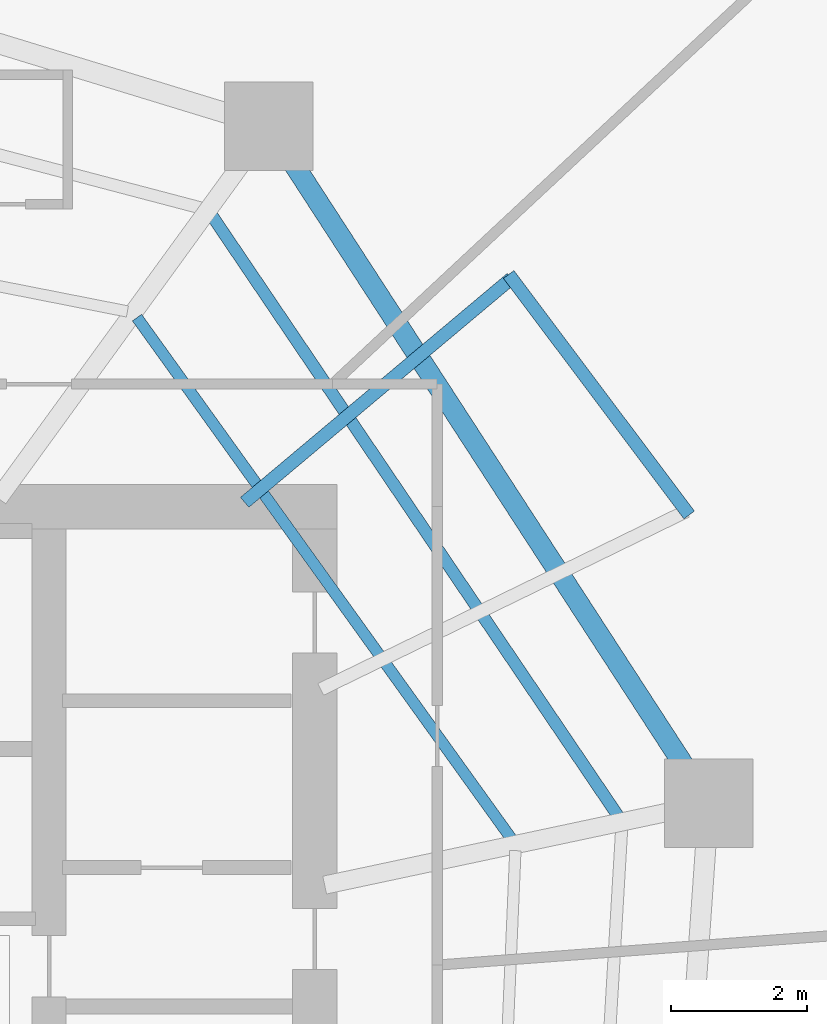
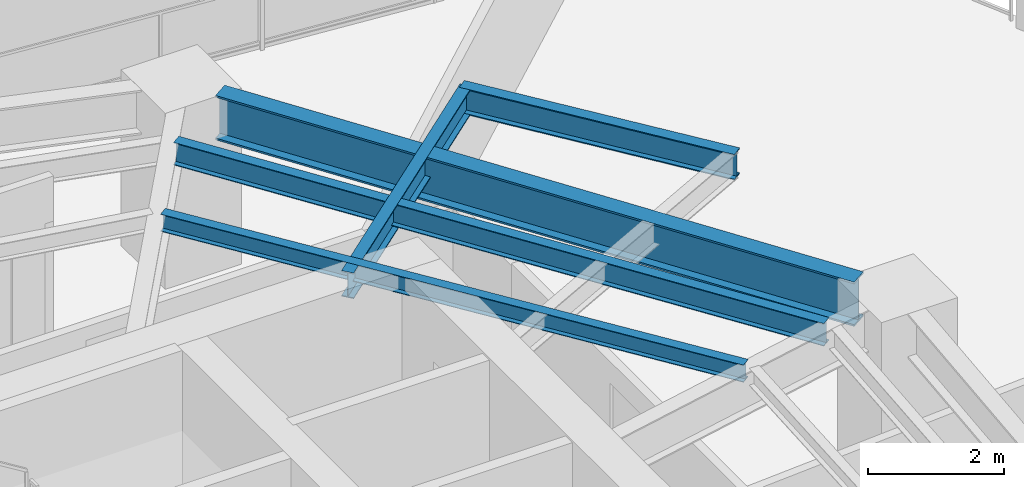
# One storey, part 23 of 30: 5 beams.
"""IFC4 building model written with IfcOpenShell, lengths in metres."""

from ifc_helpers import new_model, si_unit, direction, frame, origin, origin_2d, place, context, subcontext, project, spatial, i_section, extrude, material, material_profile, profile_set, type_object, element, save


model = new_model("IFC4")

# Units and contexts
model_context = context("Model", 3, precision=1e-05, world=origin(), true_north=direction((0.0, 1.0)))
body_context = subcontext(model_context, "Body", "Model", "MODEL_VIEW")
ifc_project = project(units=[si_unit("LENGTHUNIT", "METRE"), si_unit("AREAUNIT", "SQUARE_METRE"), si_unit("VOLUMEUNIT", "CUBIC_METRE"), si_unit("PLANEANGLEUNIT", "RADIAN"), si_unit("MASSUNIT", "GRAM", prefix="KILO")], contexts=[model_context])

# Site, building, storey
site_placement = place(None, origin())
site = spatial("IfcSite", under=ifc_project, at=site_placement, CompositionType="ELEMENT")
building_placement = place(site_placement, origin())
building = spatial("IfcBuilding", under=site, at=building_placement, Name="Qarnah Convention Tower", CompositionType="ELEMENT")
storey_placement = place(building_placement, frame((0.0, 0.0, 47.699951171875)))
storey = spatial("IfcBuildingStorey", under=building, at=storey_placement, Name="L11", CompositionType="ELEMENT", Elevation=47.699951171875)

# Beams
ifc_material = material(Name="Structural steel S355JR", Category="steel")
ifc_material_profile_1 = material_profile(ifc_material, i_section(OverallWidth=0.19189453125, OverallDepth=0.464111328125, WebThickness=0.010986328125, FlangeThickness=0.01806640625, at=origin_2d()), Name="W460X89")
ifc_profile_set_1 = profile_set([ifc_material_profile_1], Name="Structural steel S355JR")
beam_type_1 = type_object("IfcBeamType", Name="BM-CANT-W460A", PredefinedType="BEAM", material=ifc_profile_set_1)
beam_1_placement = place(storey_placement, frame((46.572021484375, 34.263916015625, 2.93798828125), z_axis=(0.765964185984, 0.64288324429, 0.0), x_axis=(-0.64288324429, 0.765964185984, 0.0)))
element("IfcBeam", 1, at=beam_1_placement, inside=storey, type_object=beam_type_1, Name="L11 beam BM-L11-CNT-01-2", PredefinedType="BEAM", context=body_context, shape_type="SweptSolid", body=[
    extrude(i_section(OverallWidth=0.19189453125, OverallDepth=0.464111328125, WebThickness=0.010986328125, FlangeThickness=0.01806640625, at=origin_2d()), origin(), (0.0, 0.0, 1.0), 5.11767578125),
])
beam_2_placement = place(storey_placement, frame((53.10107421875, 34.077880859375, 2.93798828125), z_axis=(-0.600282994859, 0.799787675626, 0.0), x_axis=(-0.799787675626, -0.600282994859, 0.0)))
element("IfcBeam", 2, at=beam_2_placement, inside=storey, type_object=beam_type_1, Name="L11 spandrel BM-L11-CTIE-01", PredefinedType="SPANDREL", context=body_context, shape_type="SweptSolid", body=[
    extrude(i_section(OverallWidth=0.19189453125, OverallDepth=0.464111328125, WebThickness=0.010986328125, FlangeThickness=0.01806640625, at=origin_2d()), origin(), (0.0, 0.0, 1.0), 4.41650390625),
])
ifc_material_profile_2 = material_profile(ifc_material, i_section(OverallWidth=0.166015625, OverallDepth=0.31201171875, WebThickness=0.007080078125, FlangeThickness=0.010986328125, at=origin_2d()), Name="W310X45")
ifc_profile_set_2 = profile_set([ifc_material_profile_2], Name="Structural steel S355JR")
beam_type_2 = type_object("IfcBeamType", Name="BM-JST-W310", PredefinedType="JOIST", material=ifc_profile_set_2)
beam_3_placement = place(storey_placement, frame((50.4990234375, 29.31103515625, 3.01416015625), z_axis=(-0.583503875683, 0.812110353993, 0.0), x_axis=(-0.812110353993, -0.583503875683, 0.0)))
element("IfcBeam", 3, at=beam_3_placement, inside=storey, type_object=beam_type_2, Name="L11 joist BM-L11-IJST-01", PredefinedType="JOIST", context=body_context, shape_type="SweptSolid", body=[
    extrude(i_section(OverallWidth=0.166015625, OverallDepth=0.31201171875, WebThickness=0.007080078125, FlangeThickness=0.010986328125, at=origin_2d()), origin(), (0.0, 0.0, 1.0), 9.439697265625),
])
ifc_material_profile_3 = material_profile(ifc_material, i_section(OverallWidth=0.177978515625, OverallDepth=0.407958984375, WebThickness=0.008056640625, FlangeThickness=0.012939453125, at=origin_2d()), Name="W410X60")
ifc_profile_set_3 = profile_set([ifc_material_profile_3], Name="Structural steel S355JR")
beam_type_3 = type_object("IfcBeamType", Name="BM-JST-W410", PredefinedType="JOIST", material=ifc_profile_set_3)
beam_4_placement = place(storey_placement, frame((52.06494140625, 29.64501953125, 2.966064453125), z_axis=(-0.560357375218, 0.828250935429, 0.0), x_axis=(-0.828250935429, -0.560357375218, 0.0)))
element("IfcBeam", 4, at=beam_4_placement, inside=storey, type_object=beam_type_3, Name="L11 joist BM-L11-SJST-01", PredefinedType="JOIST", context=body_context, shape_type="SweptSolid", body=[
    extrude(i_section(OverallWidth=0.177978515625, OverallDepth=0.407958984375, WebThickness=0.008056640625, FlangeThickness=0.012939453125, at=origin_2d()), origin(), (0.0, 0.0, 1.0), 10.671630859375),
])
ifc_material_profile_4 = material_profile(ifc_material, i_section(OverallWidth=0.300048828125, OverallDepth=0.800048828125, WebThickness=0.01806640625, FlangeThickness=0.032958984375, at=origin_2d()), Name="HEB800")
ifc_profile_set_4 = profile_set([ifc_material_profile_4], Name="Structural steel S355JR")
beam_type_4 = type_object("IfcBeamType", Name="BM-RING-HEB800", PredefinedType="BEAM", material=ifc_profile_set_4)
beam_5_placement = place(storey_placement, frame((53.0390625, 30.3779296875, 2.77001953125), z_axis=(-0.544579515688, 0.838709217246, 0.0), x_axis=(-0.838709217246, -0.544579515688, 0.0)))
element("IfcBeam", 5, at=beam_5_placement, inside=storey, type_object=beam_type_4, Name="L11 beam BM-L11-SPN-01", PredefinedType="BEAM", context=body_context, shape_type="SweptSolid", body=[
    extrude(i_section(OverallWidth=0.300048828125, OverallDepth=0.800048828125, WebThickness=0.01806640625, FlangeThickness=0.032958984375, at=origin_2d()), origin(), (0.0, 0.0, 1.0), 10.58056640625),
])

save(model, "model.ifc")
